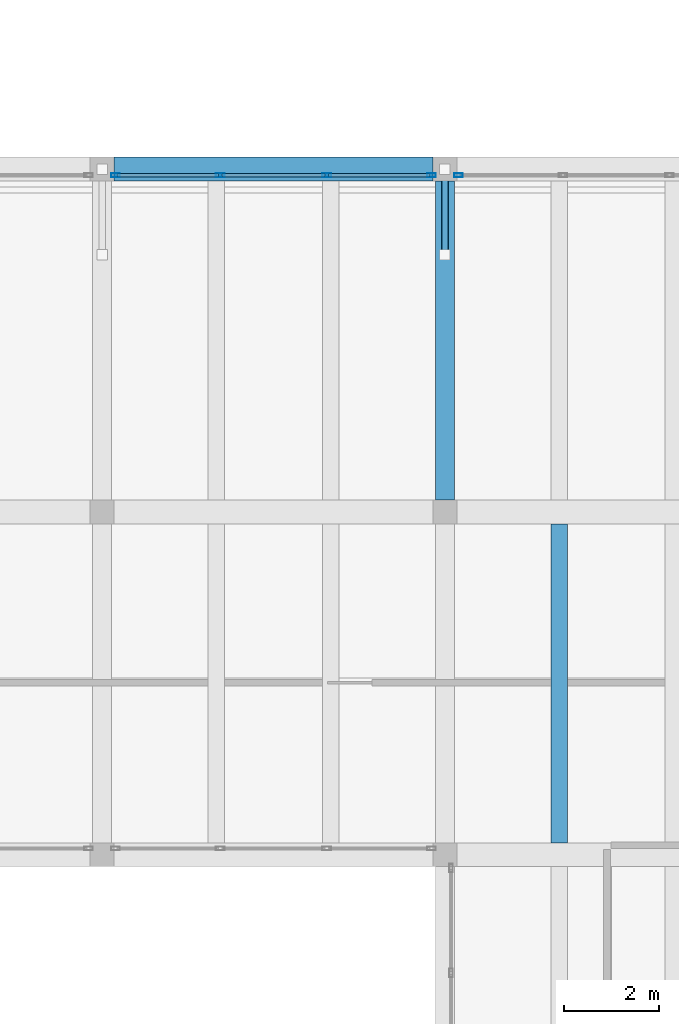
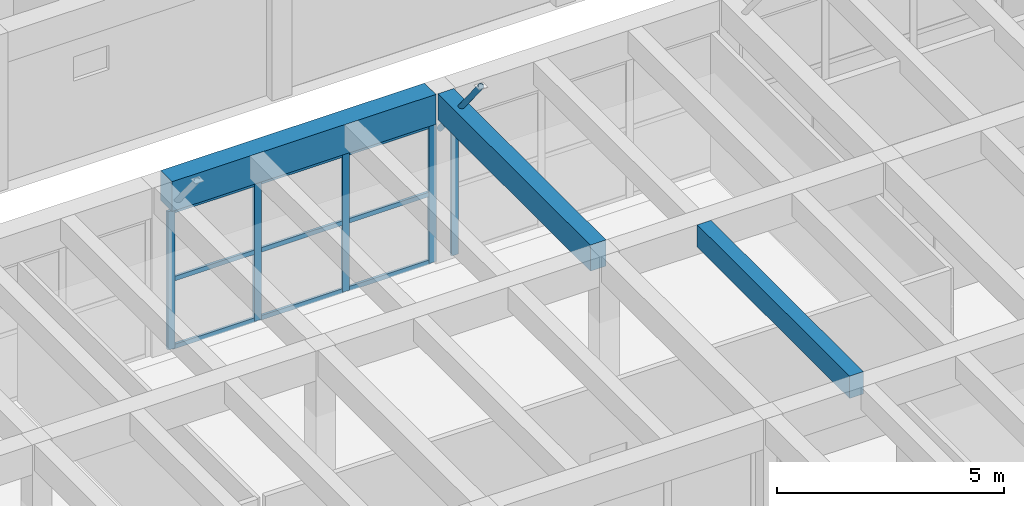
# One storey, part 95 of 153: 15 members, 3 beams, 2 elements without a shape of their own.
"""IFC4 building model written with IfcOpenShell, lengths in metres."""

from ifc_helpers import new_model, si_unit, direction, frame, origin, origin_2d, place, context, subcontext, project, spatial, rectangle, hollow_rectangle, hollow_circle, extrude, material, material_profile, profile_set, type_object, element, aggregate, save


model = new_model("IFC4")

# Units and contexts
model_context = context("Model", 3, precision=1e-05, world=origin(), true_north=direction((0.0, 1.0)))
body_context = subcontext(model_context, "Body", "Model", "MODEL_VIEW")
ifc_project = project(units=[si_unit("LENGTHUNIT", "METRE"), si_unit("AREAUNIT", "SQUARE_METRE"), si_unit("VOLUMEUNIT", "CUBIC_METRE"), si_unit("PLANEANGLEUNIT", "RADIAN"), si_unit("MASSUNIT", "GRAM", prefix="KILO")], contexts=[model_context])

# Site, building, storey
site_placement = place(None, origin())
site = spatial("IfcSite", under=ifc_project, at=site_placement, CompositionType="ELEMENT")
building_placement = place(site_placement, origin())
building = spatial("IfcBuilding", under=site, at=building_placement, Name="Bramvelor Terrace Health Centre", CompositionType="ELEMENT")
storey_placement = place(building_placement, frame((0.0, 0.0, 4.800048828125)))
storey = spatial("IfcBuildingStorey", under=building, at=storey_placement, Name="L02", CompositionType="ELEMENT", Elevation=4.800048828125)

# Beams
ifc_material_1 = material(Name="Concrete C40/50", Category="concrete")
ifc_material_profile_1 = material_profile(ifc_material_1, rectangle(XDim=0.39990234375, YDim=0.699951171875, at=origin_2d()), Name="RC 400x700")
ifc_profile_set_1 = profile_set([ifc_material_profile_1], Name="Concrete C40/50")
beam_type_1 = type_object("IfcBeamType", Name="BM-RC-G700", PredefinedType="BEAM", material=ifc_profile_set_1)
beam_1_placement = place(storey_placement, frame((79.199951171875, 72.25, 4.199951171875), z_axis=(0.0, 1.0, 0.0), x_axis=(-1.0, 0.0, 0.0)))
element("IfcBeam", 1, at=beam_1_placement, inside=storey, type_object=beam_type_1, Name="L02 Floor Girder", PredefinedType="BEAM", context=body_context, shape_type="SweptSolid", body=[
    extrude(rectangle(XDim=0.39990234375, YDim=0.699951171875, at=origin_2d()), origin(), (0.0, 0.0, 1.0), 6.699951171875),
])
ifc_material_2 = material(Name="Concrete C40/50", Category="concrete")
ifc_material_profile_2 = material_profile(ifc_material_2, rectangle(XDim=0.5, YDim=0.800048828125, at=origin_2d()), Name="RC 500x800")
ifc_profile_set_2 = profile_set([ifc_material_profile_2], Name="Concrete C40/50")
beam_type_2 = type_object("IfcBeamType", Name="BM-RC-G800", PredefinedType="BEAM", material=ifc_profile_set_2)
beam_2_placement = place(storey_placement, frame((72.25, 79.199951171875, 4.14990234375), z_axis=(1.0, 0.0, 0.0), x_axis=(0.0, 1.0, 0.0)))
element("IfcBeam", 2, at=beam_2_placement, inside=storey, type_object=beam_type_2, Name="L02 Floor Girder", PredefinedType="BEAM", context=body_context, shape_type="SweptSolid", body=[
    extrude(rectangle(XDim=0.5, YDim=0.800048828125, at=origin_2d()), origin(), (0.0, 0.0, 1.0), 6.699951171875),
])
ifc_material_3 = material(Name="Concrete C40/50", Category="concrete")
ifc_material_profile_3 = material_profile(ifc_material_3, rectangle(XDim=0.35009765625, YDim=0.60009765625, at=origin_2d()), Name="RC 350x600")
ifc_profile_set_3 = profile_set([ifc_material_profile_3], Name="Concrete C40/50")
beam_type_3 = type_object("IfcBeamType", Name="BM-RC-J600", PredefinedType="JOIST", material=ifc_profile_set_3)
beam_3_placement = place(storey_placement, frame((81.60009765625, 65.050048828125, 4.25), z_axis=(0.0, 1.0, 0.0), x_axis=(-1.0, 0.0, 0.0)))
element("IfcBeam", 3, at=beam_3_placement, inside=storey, type_object=beam_type_3, Name="L02 Secondary Floor Joist", PredefinedType="JOIST", context=body_context, shape_type="SweptSolid", body=[
    extrude(rectangle(XDim=0.35009765625, YDim=0.60009765625, at=origin_2d()), origin(), (0.0, 0.0, 1.0), 6.699951171875),
])

# Curtain wall, members
ifc_material_4 = material(Name="Anodized aluminium and double low-E glass", Category="aluminium")
curtain_wall_type = type_object("IfcCurtainWallType", Name="CW-SYS-17", PredefinedType="NOTDEFINED", material=ifc_material_4)
curtain_wall_1_placement = place(storey_placement, origin())
curtain_wall_1 = element("IfcCurtainWall", 4, at=curtain_wall_1_placement, inside=storey, type_object=curtain_wall_type, Name="L02 Unitized Curtain Wall 94", PredefinedType="NOTDEFINED")
ifc_material_5 = material(Name="Anodized aluminium 6063-T6", Category="aluminium")
ifc_material_profile_4 = material_profile(ifc_material_5, hollow_rectangle(XDim=0.074951171875, YDim=0.179931640625, WallThickness=0.00341796875, at=origin_2d()), Name="ALU-MUL 75x180x3.5")
ifc_profile_set_4 = profile_set([ifc_material_profile_4], Name="Anodized aluminium 6063-T6")
member_type_1 = type_object("IfcMemberType", Name="CW-MUL-65x180", PredefinedType="MULLION", material=ifc_profile_set_4)
member_1_placement = place(storey_placement, frame((72.282470703125, 79.070068359375, 0.0), z_axis=(0.0, 0.0, 1.0), x_axis=(0.0, 1.0, 0.0)))
member_1 = element("IfcMember", 5, at=member_1_placement, type_object=member_type_1, Name="CW-17 mullion 1", PredefinedType="MULLION", context=body_context, shape_type="SweptSolid", body=[
    extrude(hollow_rectangle(XDim=0.074951171875, YDim=0.179931640625, WallThickness=0.00341796875, at=origin_2d()), origin(), (0.0, 0.0, 1.0), 3.7099609375),
])
member_2_placement = place(storey_placement, frame((74.481689453125, 79.070068359375, 0.0), z_axis=(0.0, 0.0, 1.0), x_axis=(0.0, 1.0, 0.0)))
member_2 = element("IfcMember", 6, at=member_2_placement, type_object=member_type_1, Name="CW-17 mullion 2", PredefinedType="MULLION", context=body_context, shape_type="SweptSolid", body=[
    extrude(hollow_rectangle(XDim=0.074951171875, YDim=0.179931640625, WallThickness=0.00341796875, at=origin_2d()), origin(), (0.0, 0.0, 1.0), 3.7099609375),
])
member_3_placement = place(storey_placement, frame((76.71826171875, 79.070068359375, 0.0), z_axis=(0.0, 0.0, 1.0), x_axis=(0.0, 1.0, 0.0)))
member_3 = element("IfcMember", 7, at=member_3_placement, type_object=member_type_1, Name="CW-17 mullion 3", PredefinedType="MULLION", context=body_context, shape_type="SweptSolid", body=[
    extrude(hollow_rectangle(XDim=0.074951171875, YDim=0.179931640625, WallThickness=0.00341796875, at=origin_2d()), origin(), (0.0, 0.0, 1.0), 3.7099609375),
])
member_4_placement = place(storey_placement, frame((78.91748046875, 79.070068359375, 0.0), z_axis=(0.0, 0.0, 1.0), x_axis=(0.0, 1.0, 0.0)))
member_4 = element("IfcMember", 8, at=member_4_placement, type_object=member_type_1, Name="CW-17 mullion 4", PredefinedType="MULLION", context=body_context, shape_type="SweptSolid", body=[
    extrude(hollow_rectangle(XDim=0.074951171875, YDim=0.179931640625, WallThickness=0.00341796875, at=origin_2d()), origin(), (0.0, 0.0, 1.0), 3.7099609375),
])

# Curtain wall, member
curtain_wall_2_placement = place(storey_placement, origin())
curtain_wall_2 = element("IfcCurtainWall", 9, at=curtain_wall_2_placement, inside=storey, type_object=curtain_wall_type, Name="L02 Unitized Curtain Wall 95", PredefinedType="NOTDEFINED")
member_5_placement = place(storey_placement, frame((79.482421875, 79.070068359375, 0.0), z_axis=(0.0, 0.0, 1.0), x_axis=(0.0, 1.0, 0.0)))
member_5 = element("IfcMember", 10, at=member_5_placement, type_object=member_type_1, Name="CW-17 mullion 1", PredefinedType="MULLION", context=body_context, shape_type="SweptSolid", body=[
    extrude(hollow_rectangle(XDim=0.074951171875, YDim=0.179931640625, WallThickness=0.00341796875, at=origin_2d()), origin(), (0.0, 0.0, 1.0), 3.7099609375),
])
aggregate(curtain_wall_2, [member_5])

# Member
ifc_material_6 = material(Name="Anodized aluminium 6063-T6", Category="aluminium")
ifc_material_profile_5 = material_profile(ifc_material_6, hollow_rectangle(XDim=0.06494140625, YDim=0.1201171875, WallThickness=0.0029296875, at=origin_2d()), Name="ALU-TRN 65x120x3.0")
ifc_profile_set_5 = profile_set([ifc_material_profile_5], Name="Anodized aluminium 6063-T6")
member_type_2 = type_object("IfcMemberType", Name="CW-TRN-65x150", PredefinedType="USERDEFINED", material=ifc_profile_set_5)
member_6_placement = place(storey_placement, frame((72.320068359375, 79.070068359375, 0.032470703125), z_axis=(1.0, 0.0, 0.0), x_axis=(0.0, 1.0, 0.0)))
member_6 = element("IfcMember", 11, at=member_6_placement, type_object=member_type_2, Name="CW-17 transom 1.1", ObjectType="TRANSOM", PredefinedType="USERDEFINED", context=body_context, shape_type="SweptSolid", body=[
    extrude(hollow_rectangle(XDim=0.06494140625, YDim=0.1201171875, WallThickness=0.0029296875, at=origin_2d()), origin(), (0.0, 0.0, 1.0), 2.1240234375),
])

member_7_placement = place(storey_placement, frame((72.320068359375, 79.070068359375, 1.85498046875), z_axis=(1.0, 0.0, 0.0), x_axis=(0.0, 1.0, 0.0)))
member_7 = element("IfcMember", 12, at=member_7_placement, type_object=member_type_2, Name="CW-17 transom 1.2", ObjectType="TRANSOM", PredefinedType="USERDEFINED", context=body_context, shape_type="SweptSolid", body=[
    extrude(hollow_rectangle(XDim=0.06494140625, YDim=0.1201171875, WallThickness=0.0029296875, at=origin_2d()), origin(), (0.0, 0.0, 1.0), 2.1240234375),
])

member_8_placement = place(storey_placement, frame((72.320068359375, 79.070068359375, 3.677490234375), z_axis=(1.0, 0.0, 0.0), x_axis=(0.0, 1.0, 0.0)))
member_8 = element("IfcMember", 13, at=member_8_placement, type_object=member_type_2, Name="CW-17 transom 1.3", ObjectType="TRANSOM", PredefinedType="USERDEFINED", context=body_context, shape_type="SweptSolid", body=[
    extrude(hollow_rectangle(XDim=0.06494140625, YDim=0.1201171875, WallThickness=0.0029296875, at=origin_2d()), origin(), (0.0, 0.0, 1.0), 2.1240234375),
])

member_9_placement = place(storey_placement, frame((74.519287109375, 79.070068359375, 0.032470703125), z_axis=(1.0, 0.0, 0.0), x_axis=(0.0, 1.0, 0.0)))
member_9 = element("IfcMember", 14, at=member_9_placement, type_object=member_type_2, Name="CW-17 transom 2.1", ObjectType="TRANSOM", PredefinedType="USERDEFINED", context=body_context, shape_type="SweptSolid", body=[
    extrude(hollow_rectangle(XDim=0.06494140625, YDim=0.1201171875, WallThickness=0.0029296875, at=origin_2d()), origin(), (0.0, 0.0, 1.0), 2.16162109375),
])

member_10_placement = place(storey_placement, frame((74.519287109375, 79.070068359375, 1.85498046875), z_axis=(1.0, 0.0, 0.0), x_axis=(0.0, 1.0, 0.0)))
member_10 = element("IfcMember", 15, at=member_10_placement, type_object=member_type_2, Name="CW-17 transom 2.2", ObjectType="TRANSOM", PredefinedType="USERDEFINED", context=body_context, shape_type="SweptSolid", body=[
    extrude(hollow_rectangle(XDim=0.06494140625, YDim=0.1201171875, WallThickness=0.0029296875, at=origin_2d()), origin(), (0.0, 0.0, 1.0), 2.16162109375),
])

member_11_placement = place(storey_placement, frame((74.519287109375, 79.070068359375, 3.677490234375), z_axis=(1.0, 0.0, 0.0), x_axis=(0.0, 1.0, 0.0)))
member_11 = element("IfcMember", 16, at=member_11_placement, type_object=member_type_2, Name="CW-17 transom 2.3", ObjectType="TRANSOM", PredefinedType="USERDEFINED", context=body_context, shape_type="SweptSolid", body=[
    extrude(hollow_rectangle(XDim=0.06494140625, YDim=0.1201171875, WallThickness=0.0029296875, at=origin_2d()), origin(), (0.0, 0.0, 1.0), 2.16162109375),
])

member_12_placement = place(storey_placement, frame((76.755859375, 79.070068359375, 0.032470703125), z_axis=(1.0, 0.0, 0.0), x_axis=(0.0, 1.0, 0.0)))
member_12 = element("IfcMember", 17, at=member_12_placement, type_object=member_type_2, Name="CW-17 transom 3.1", ObjectType="TRANSOM", PredefinedType="USERDEFINED", context=body_context, shape_type="SweptSolid", body=[
    extrude(hollow_rectangle(XDim=0.06494140625, YDim=0.1201171875, WallThickness=0.0029296875, at=origin_2d()), origin(), (0.0, 0.0, 1.0), 2.1240234375),
])

member_13_placement = place(storey_placement, frame((76.755859375, 79.070068359375, 1.85498046875), z_axis=(1.0, 0.0, 0.0), x_axis=(0.0, 1.0, 0.0)))
member_13 = element("IfcMember", 18, at=member_13_placement, type_object=member_type_2, Name="CW-17 transom 3.2", ObjectType="TRANSOM", PredefinedType="USERDEFINED", context=body_context, shape_type="SweptSolid", body=[
    extrude(hollow_rectangle(XDim=0.06494140625, YDim=0.1201171875, WallThickness=0.0029296875, at=origin_2d()), origin(), (0.0, 0.0, 1.0), 2.1240234375),
])

member_14_placement = place(storey_placement, frame((76.755859375, 79.070068359375, 3.677490234375), z_axis=(1.0, 0.0, 0.0), x_axis=(0.0, 1.0, 0.0)))
member_14 = element("IfcMember", 19, at=member_14_placement, type_object=member_type_2, Name="CW-17 transom 3.3", ObjectType="TRANSOM", PredefinedType="USERDEFINED", context=body_context, shape_type="SweptSolid", body=[
    extrude(hollow_rectangle(XDim=0.06494140625, YDim=0.1201171875, WallThickness=0.0029296875, at=origin_2d()), origin(), (0.0, 0.0, 1.0), 2.1240234375),
])

aggregate(curtain_wall_1, [member_1, member_2, member_3, member_4, member_6, member_7, member_8, member_9, member_10, member_11, member_12, member_13, member_14])

ifc_material_7 = material(Name="Steel S355J2", Category="steel")
ifc_material_profile_6 = material_profile(ifc_material_7, hollow_circle(Radius=0.06982421875, WallThickness=0.0048828125, at=origin_2d()), Name="CHS 139.7x5.0")
ifc_profile_set_6 = profile_set([ifc_material_profile_6], Name="Steel S355J2")
member_type_3 = type_object("IfcMemberType", Name="MEM-STL-CHS139", PredefinedType="STRUT", material=ifc_profile_set_6)
member_15_placement = place(storey_placement, frame((79.199951171875, 79.199951171875, 3.39990234375), z_axis=(0.0, -0.62952484871, 0.776980350367), x_axis=(1.0, 0.0, 0.0)))
element("IfcMember", 20, at=member_15_placement, inside=storey, type_object=member_type_3, Name="Waiting Hall Storm-Eave Knee Strut N6", PredefinedType="STRUT", context=body_context, shape_type="SweptSolid", body=[
    extrude(hollow_circle(Radius=0.06982421875, WallThickness=0.0048828125, at=origin_2d()), origin(), (0.0, 0.0, 1.0), 2.859375),
])

save(model, "model.ifc")
